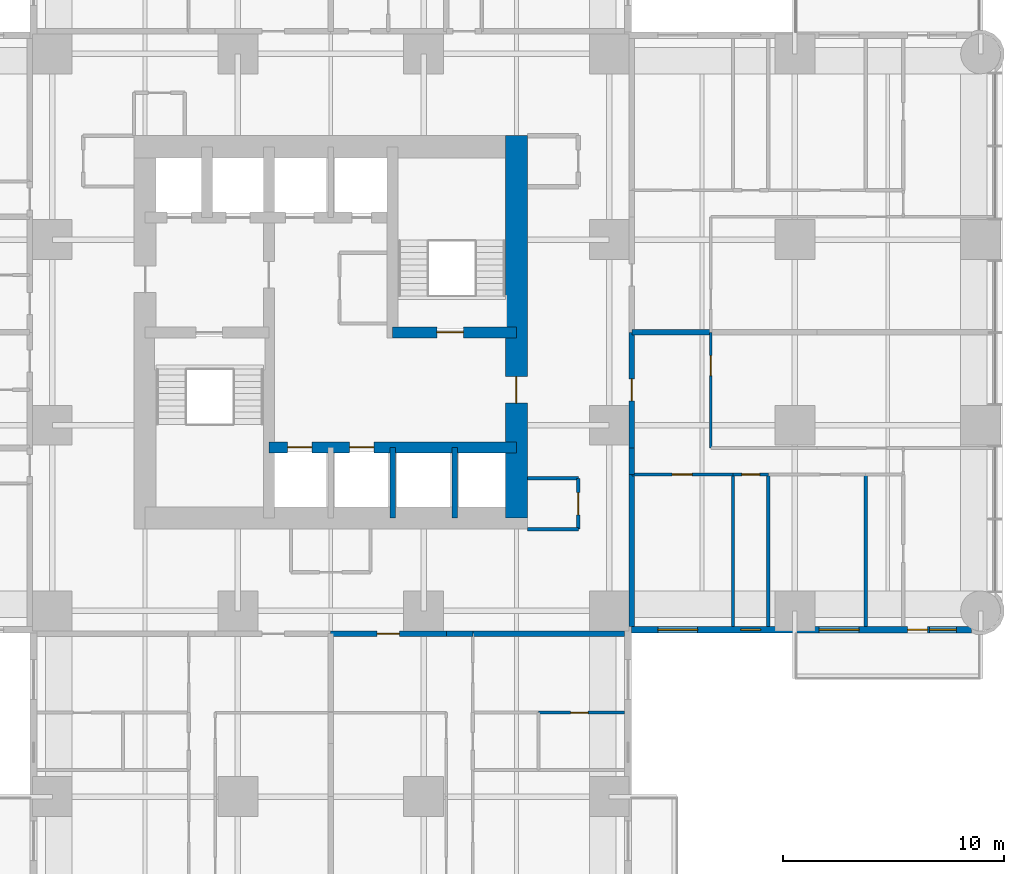
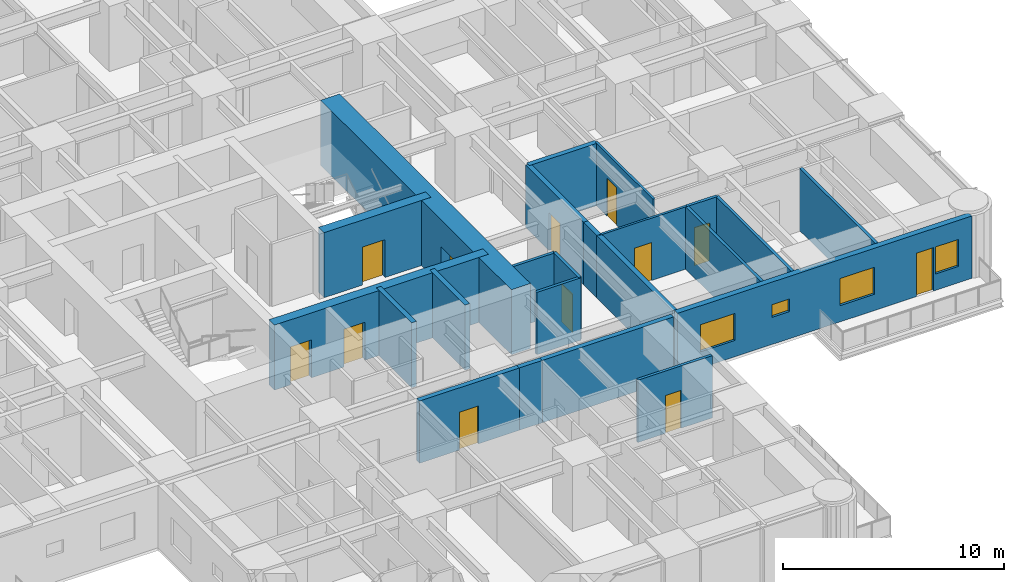
# One storey, part 10 of 17: 23 walls, 12 doors, 4 windows, 16 openings.
"""IFC4 building model written with IfcOpenShell, lengths in metres."""

from ifc_helpers import new_model, si_unit, direction, frame, frame_2d, origin, place, context, subcontext, project, spatial, rectangle, extrude, material, layer, layer_set, type_object, element, fill, save


model = new_model("IFC4")

# Units and contexts
model_context = context("Model", 3, precision=1e-05, world=origin(), true_north=direction((0.0, 1.0)))
body_context = subcontext(model_context, "Body", "Model", "MODEL_VIEW")
ifc_project = project(units=[si_unit("LENGTHUNIT", "METRE"), si_unit("AREAUNIT", "SQUARE_METRE"), si_unit("VOLUMEUNIT", "CUBIC_METRE"), si_unit("PLANEANGLEUNIT", "RADIAN"), si_unit("MASSUNIT", "GRAM", prefix="KILO")], contexts=[model_context])

# Site, building, storey
site_placement = place(None, origin())
site = spatial("IfcSite", under=ifc_project, at=site_placement, CompositionType="ELEMENT")
building_placement = place(site_placement, origin())
building = spatial("IfcBuilding", under=site, at=building_placement, Name="Torre Alcanfor", CompositionType="ELEMENT")
storey_placement = place(building_placement, frame((0.0, 0.0, 70.5)))
storey = spatial("IfcBuildingStorey", under=building, at=storey_placement, Name="L17", CompositionType="ELEMENT", Elevation=70.5)

# Wall, opening, door
ifc_material_1 = material(Name="Concrete block masonry, hollow blocks NMX-C-404 9 MPa", Category="masonry")
ifc_layer_1 = layer(ifc_material_1, 0.25)
ifc_layer_set_1 = layer_set([ifc_layer_1], Name="Apartment entrance wall 250 EI 60")
wall_type_1 = type_object("IfcWallType", Name="Apartment entrance wall 250 EI 60", PredefinedType="PARTITIONING", material=ifc_layer_set_1)
wall_1_placement = place(storey_placement, frame((43.02490234375, 29.39990234375, 0.0), z_axis=(0.0, 0.0, 1.0), x_axis=(0.0, -1.0, 0.0)))
wall_1 = element("IfcWall", 1, at=wall_1_placement, inside=storey, type_object=wall_type_1, Name="Partition L17-CORR / L17-E2-ZAG", PredefinedType="PARTITIONING", context=body_context, shape_type="SweptSolid", body=[
    extrude(rectangle(XDim=5.22900390625, YDim=0.25, at=frame_2d((2.614501953125, 0.0))), origin(), (0.0, 0.0, 1.0), 3.449951171875),
])
opening_1_placement = place(wall_1_placement, frame((2.10009765625, 0.0, 0.0)))
opening_1 = element("IfcOpeningElement", 2, at=opening_1_placement, cuts=wall_1, Name="Opening D-A1", PredefinedType="OPENING", context=body_context, shape_type="SweptSolid", body=[
    extrude(rectangle(XDim=1.0, YDim=2.10009765625, at=frame_2d((0.5, 1.050048828125))), frame((0.0, 0.135009765625, 0.0), z_axis=(0.0, -1.0, 0.0), x_axis=(1.0, 0.0, 0.0)), (0.0, 0.0, 1.0), 0.27001953125),
])
ifc_material_2 = material(Name="Galvanised steel sheet ASTM A653", Category="steel")
door_type_1 = type_object("IfcDoorType", Name="Apartment entrance door FD60 1000x2100", OperationType="SINGLE_SWING_LEFT", PredefinedType="DOOR", material=ifc_material_2)
door_1_placement = place(opening_1_placement, origin())
door_1 = element("IfcDoor", 3, at=door_1_placement, inside=storey, type_object=door_type_1, Name="Apartment entrance L17-E2", OperationType="SINGLE_SWING_LEFT", OverallHeight=2.10009765625, OverallWidth=1.0, PredefinedType="DOOR", context=body_context, shape_type="SweptSolid", body=[
    extrude(rectangle(XDim=1.0, YDim=2.10009765625, at=frame_2d((0.5, 1.050048828125))), frame((0.0, 0.02490234375, 0.0), z_axis=(0.0, -1.0, 0.0), x_axis=(1.0, 0.0, 0.0)), (0.0, 0.0, 1.0), 0.050048828125),
])
fill(opening_1, door_1)

# Walls
wall_2_placement = place(storey_placement, frame((43.02490234375, 24.1708984375, 0.0), z_axis=(0.0, 0.0, 1.0), x_axis=(0.0, -1.0, 0.0)))
element("IfcWall", 4, at=wall_2_placement, inside=storey, type_object=wall_type_1, Name="Partition L17-CORR / L17-E2-HALL", PredefinedType="PARTITIONING", context=body_context, shape_type="SweptSolid", body=[
    extrude(rectangle(XDim=1.199951171875, YDim=0.25, at=frame_2d((0.60009765625, 0.0))), origin(), (0.0, 0.0, 1.0), 3.449951171875),
])
wall_3_placement = place(storey_placement, frame((43.02490234375, 22.970947265625, 0.0), z_axis=(0.0, 0.0, 1.0), x_axis=(0.0, -1.0, 0.0)))
element("IfcWall", 5, at=wall_3_placement, inside=storey, type_object=wall_type_1, Name="Partition L17-CORR / L17-E2-BED3", PredefinedType="PARTITIONING", context=body_context, shape_type="SweptSolid", body=[
    extrude(rectangle(XDim=6.870849609375, YDim=0.25, at=frame_2d((3.435546875, 0.0))), origin(), (0.0, 0.0, 1.0), 3.449951171875),
])

# Wall, opening, door
wall_4_placement = place(storey_placement, frame((34.62890625, 15.77490234375, 0.0), z_axis=(0.0, 0.0, 1.0), x_axis=(-1.0, 0.0, 0.0)))
wall_4 = element("IfcWall", 6, at=wall_4_placement, inside=storey, type_object=wall_type_1, Name="Partition L17-CORR / L17-S1-ZAG", PredefinedType="PARTITIONING", context=body_context, shape_type="SweptSolid", body=[
    extrude(rectangle(XDim=5.22900390625, YDim=0.25, at=frame_2d((2.614501953125, 0.0))), origin(), (0.0, 0.0, 1.0), 3.449951171875),
])
opening_2_placement = place(wall_4_placement, frame((2.12890625, 0.0, 0.0)))
opening_2 = element("IfcOpeningElement", 7, at=opening_2_placement, cuts=wall_4, Name="Opening D-A1", PredefinedType="OPENING", context=body_context, shape_type="SweptSolid", body=[
    extrude(rectangle(XDim=1.0, YDim=2.10009765625, at=frame_2d((0.5, 1.050048828125))), frame((0.0, 0.135009765625, 0.0), z_axis=(0.0, -1.0, 0.0), x_axis=(1.0, 0.0, 0.0)), (0.0, 0.0, 1.0), 0.27001953125),
])
door_2_placement = place(opening_2_placement, origin())
door_2 = element("IfcDoor", 8, at=door_2_placement, inside=storey, type_object=door_type_1, Name="Apartment entrance L17-S1", OperationType="SINGLE_SWING_RIGHT", OverallHeight=2.10009765625, OverallWidth=1.0, PredefinedType="DOOR", context=body_context, shape_type="SweptSolid", body=[
    extrude(rectangle(XDim=1.0, YDim=2.10009765625, at=frame_2d((0.5, 1.050048828125))), frame((0.0, 0.02490234375, 0.0), z_axis=(0.0, -1.0, 0.0), x_axis=(1.0, 0.0, 0.0)), (0.0, 0.0, 1.0), 0.050048828125),
])
fill(opening_2, door_2)

# Walls
wall_5_placement = place(storey_placement, frame((35.8291015625, 15.77490234375, 0.0), z_axis=(0.0, 0.0, 1.0), x_axis=(-1.0, 0.0, 0.0)))
element("IfcWall", 9, at=wall_5_placement, inside=storey, type_object=wall_type_1, Name="Partition L17-CORR / L17-S1-HALL", PredefinedType="PARTITIONING", context=body_context, shape_type="SweptSolid", body=[
    extrude(rectangle(XDim=1.2001953125, YDim=0.25, at=frame_2d((0.60009765625, 0.0))), origin(), (0.0, 0.0, 1.0), 3.449951171875),
])
wall_6_placement = place(storey_placement, frame((42.699951171875, 15.77490234375, 0.0), z_axis=(0.0, 0.0, 1.0), x_axis=(-1.0, 0.0, 0.0)))
element("IfcWall", 10, at=wall_6_placement, inside=storey, type_object=wall_type_1, Name="Partition L17-CORR / L17-S1-SERV", PredefinedType="PARTITIONING", context=body_context, shape_type="SweptSolid", body=[
    extrude(rectangle(XDim=6.870849609375, YDim=0.25, at=frame_2d((3.435546875, 0.0))), origin(), (0.0, 0.0, 1.0), 3.449951171875),
])

# Wall, opening, door
ifc_material_3 = material(Name="Gypsum board on steel studs", Category="steel")
ifc_layer_2 = layer(ifc_material_3, 0.1201171875)
ifc_layer_set_2 = layer_set([ifc_layer_2], Name="Apartment partition 120")
wall_type_2 = type_object("IfcWallType", Name="Apartment partition 120", PredefinedType="PARTITIONING", material=ifc_layer_set_2)
wall_7_placement = place(storey_placement, frame((46.60009765625, 29.39990234375, 0.0), z_axis=(0.0, 0.0, 1.0), x_axis=(0.0, -1.0, 0.0)))
wall_7 = element("IfcWall", 11, at=wall_7_placement, inside=storey, type_object=wall_type_2, Name="Partition L17-E2-ZAG / L17-E2-KITCHEN", PredefinedType="PARTITIONING", context=body_context, shape_type="SweptSolid", body=[
    extrude(rectangle(XDim=5.22900390625, YDim=0.1201171875, at=frame_2d((2.614501953125, 0.0))), origin(), (0.0, 0.0, 1.0), 3.449951171875),
])
opening_3_placement = place(wall_7_placement, frame((1.050048828125, 0.0, 0.0)))
opening_3 = element("IfcOpeningElement", 12, at=opening_3_placement, cuts=wall_7, Name="Opening D-R1", PredefinedType="OPENING", context=body_context, shape_type="SweptSolid", body=[
    extrude(rectangle(XDim=0.89990234375, YDim=2.10009765625, at=frame_2d((0.449951171875, 1.050048828125))), frame((0.0, 0.070068359375, 0.0), z_axis=(0.0, -1.0, 0.0), x_axis=(1.0, 0.0, 0.0)), (0.0, 0.0, 1.0), 0.14013671875),
])
ifc_material_4 = material(Name="Timber", Category="wood")
door_type_2 = type_object("IfcDoorType", Name="Internal door 900x2100", OperationType="SINGLE_SWING_LEFT", PredefinedType="DOOR", material=ifc_material_4)
door_3_placement = place(opening_3_placement, origin())
door_3 = element("IfcDoor", 13, at=door_3_placement, inside=storey, type_object=door_type_2, Name="Door L17-E2 kitchen", OperationType="SINGLE_SWING_LEFT", OverallHeight=2.10009765625, OverallWidth=0.89990234375, PredefinedType="DOOR", context=body_context, shape_type="SweptSolid", body=[
    extrude(rectangle(XDim=0.89990234375, YDim=2.10009765625, at=frame_2d((0.449951171875, 1.050048828125))), frame((0.0, 0.02490234375, 0.0), z_axis=(0.0, -1.0, 0.0), x_axis=(1.0, 0.0, 0.0)), (0.0, 0.0, 1.0), 0.050048828125),
])
fill(opening_3, door_3)

wall_8_placement = place(storey_placement, frame((47.60009765625, 22.970947265625, 0.0), z_axis=(0.0, 0.0, 1.0), x_axis=(-1.0, 0.0, 0.0)))
wall_8 = element("IfcWall", 14, at=wall_8_placement, inside=storey, type_object=wall_type_2, Name="Partition L17-E2-HALL / L17-E2-BED3", PredefinedType="PARTITIONING", context=body_context, shape_type="SweptSolid", body=[
    extrude(rectangle(XDim=4.5751953125, YDim=0.1201171875, at=frame_2d((2.28759765625, 0.0))), origin(), (0.0, 0.0, 1.0), 3.449951171875),
])
opening_4_placement = place(wall_8_placement, frame((1.85009765625, 0.0, 0.0)))
opening_4 = element("IfcOpeningElement", 15, at=opening_4_placement, cuts=wall_8, Name="Opening D-R1", PredefinedType="OPENING", context=body_context, shape_type="SweptSolid", body=[
    extrude(rectangle(XDim=0.89990234375, YDim=2.10009765625, at=frame_2d((0.449951171875, 1.050048828125))), frame((0.0, 0.070068359375, 0.0), z_axis=(0.0, -1.0, 0.0), x_axis=(1.0, 0.0, 0.0)), (0.0, 0.0, 1.0), 0.14013671875),
])
door_4_placement = place(opening_4_placement, origin())
door_4 = element("IfcDoor", 16, at=door_4_placement, inside=storey, type_object=door_type_2, Name="Door L17-E2 bed3", OperationType="SINGLE_SWING_RIGHT", OverallHeight=2.10009765625, OverallWidth=0.89990234375, PredefinedType="DOOR", context=body_context, shape_type="SweptSolid", body=[
    extrude(rectangle(XDim=0.89990234375, YDim=2.10009765625, at=frame_2d((0.449951171875, 1.050048828125))), frame((0.0, 0.02490234375, 0.0), z_axis=(0.0, -1.0, 0.0), x_axis=(1.0, 0.0, 0.0)), (0.0, 0.0, 1.0), 0.050048828125),
])
fill(opening_4, door_4)

# Wall, openings, doors
ifc_material_5 = material(Name="Concrete f'c 70 MPa", Category="concrete")
ifc_layer_3 = layer(ifc_material_5, 0.5)
ifc_layer_set_3 = layer_set([ifc_layer_3], Name="Core inner wall 500 f'c70")
wall_type_3 = type_object("IfcWallType", Name="Core inner wall 500 f'c70", PredefinedType="SHEAR", material=ifc_layer_set_3)
wall_9_placement = place(storey_placement, frame((26.60009765625, 24.199951171875, 0.0), z_axis=(0.0, 0.0, 1.0), x_axis=(1.0, 0.0, 0.0)))
wall_9 = element("IfcWall", 17, at=wall_9_placement, inside=storey, type_object=wall_type_3, Name="Core wall Y242 L17", PredefinedType="SHEAR", context=body_context, shape_type="SweptSolid", body=[
    extrude(rectangle(XDim=11.199951171875, YDim=0.5, at=frame_2d((5.60009765625, 0.0))), origin(), (0.0, 0.0, 1.0), 3.60009765625),
])
opening_5_placement = place(wall_9_placement, frame((0.85009765625, 0.0, 0.0)))
opening_5 = element("IfcOpeningElement", 18, at=opening_5_placement, cuts=wall_9, Name="Opening LD1", PredefinedType="OPENING", context=body_context, shape_type="SweptSolid", body=[
    extrude(rectangle(XDim=1.10009765625, YDim=2.10009765625, at=frame_2d((0.550048828125, 1.050048828125))), frame((0.0, 0.260009765625, 0.0), z_axis=(0.0, -1.0, 0.0), x_axis=(1.0, 0.0, 0.0)), (0.0, 0.0, 1.0), 0.52001953125),
])
opening_6_placement = place(wall_9_placement, frame((3.64990234375, 0.0, 0.0)))
opening_6 = element("IfcOpeningElement", 19, at=opening_6_placement, cuts=wall_9, Name="Opening LD1", PredefinedType="OPENING", context=body_context, shape_type="SweptSolid", body=[
    extrude(rectangle(XDim=1.10009765625, YDim=2.10009765625, at=frame_2d((0.550048828125, 1.050048828125))), frame((0.0, 0.260009765625, 0.0), z_axis=(0.0, -1.0, 0.0), x_axis=(1.0, 0.0, 0.0)), (0.0, 0.0, 1.0), 0.52001953125),
])
ifc_material_6 = material(Name="Galvanised steel sheet ASTM A653", Category="steel")
door_type_3 = type_object("IfcDoorType", Name="Lift landing door 1100x2100", OperationType="DOUBLE_DOOR_SLIDING", PredefinedType="DOOR", material=ifc_material_6)
door_5_placement = place(opening_5_placement, origin())
door_5 = element("IfcDoor", 20, at=door_5_placement, inside=storey, type_object=door_type_3, Name="Lift landing door PA1 L17", OperationType="DOUBLE_DOOR_SLIDING", OverallHeight=2.10009765625, OverallWidth=1.10009765625, PredefinedType="DOOR", context=body_context, shape_type="SweptSolid", body=[
    extrude(rectangle(XDim=1.10009765625, YDim=2.10009765625, at=frame_2d((0.550048828125, 1.050048828125))), frame((0.0, 0.02490234375, 0.0), z_axis=(0.0, -1.0, 0.0), x_axis=(1.0, 0.0, 0.0)), (0.0, 0.0, 1.0), 0.050048828125),
])
fill(opening_5, door_5)
door_6_placement = place(opening_6_placement, origin())
door_6 = element("IfcDoor", 21, at=door_6_placement, inside=storey, type_object=door_type_3, Name="Lift landing door PA2 L17", OperationType="DOUBLE_DOOR_SLIDING", OverallHeight=2.10009765625, OverallWidth=1.10009765625, PredefinedType="DOOR", context=body_context, shape_type="SweptSolid", body=[
    extrude(rectangle(XDim=1.10009765625, YDim=2.10009765625, at=frame_2d((0.550048828125, 1.050048828125))), frame((0.0, 0.02490234375, 0.0), z_axis=(0.0, -1.0, 0.0), x_axis=(1.0, 0.0, 0.0)), (0.0, 0.0, 1.0), 0.050048828125),
])
fill(opening_6, door_6)

# Wall, opening, door
wall_10_placement = place(storey_placement, frame((32.199951171875, 29.39990234375, 0.0), z_axis=(0.0, 0.0, 1.0), x_axis=(1.0, 0.0, 0.0)))
wall_10 = element("IfcWall", 22, at=wall_10_placement, inside=storey, type_object=wall_type_3, Name="Core wall Y294E L17", PredefinedType="SHEAR", context=body_context, shape_type="SweptSolid", body=[
    extrude(rectangle(XDim=5.60009765625, YDim=0.5, at=frame_2d((2.800048828125, 0.0))), origin(), (0.0, 0.0, 1.0), 3.60009765625),
])
opening_7_placement = place(wall_10_placement, frame((2.0, 0.0, 0.0)))
opening_7 = element("IfcOpeningElement", 23, at=opening_7_placement, cuts=wall_10, Name="Opening D-S2", PredefinedType="OPENING", context=body_context, shape_type="SweptSolid", body=[
    extrude(rectangle(XDim=1.199951171875, YDim=2.10009765625, at=frame_2d((0.60009765625, 1.050048828125))), frame((0.0, 0.260009765625, 0.0), z_axis=(0.0, -1.0, 0.0), x_axis=(1.0, 0.0, 0.0)), (0.0, 0.0, 1.0), 0.52001953125),
])
ifc_material_7 = material(Name="Galvanised steel sheet ASTM A653", Category="steel")
door_type_4 = type_object("IfcDoorType", Name="Stair enclosure door FD120 1200x2100", OperationType="SINGLE_SWING_LEFT", PredefinedType="DOOR", material=ifc_material_7)
door_7_placement = place(opening_7_placement, origin())
door_7 = element("IfcDoor", 24, at=door_7_placement, inside=storey, type_object=door_type_4, Name="Stair S2 door L17", OperationType="SINGLE_SWING_LEFT", OverallHeight=2.10009765625, OverallWidth=1.199951171875, PredefinedType="DOOR", context=body_context, shape_type="SweptSolid", body=[
    extrude(rectangle(XDim=1.199951171875, YDim=2.10009765625, at=frame_2d((0.60009765625, 1.050048828125))), frame((0.0, 0.02490234375, 0.0), z_axis=(0.0, -1.0, 0.0), x_axis=(1.0, 0.0, 0.0)), (0.0, 0.0, 1.0), 0.050048828125),
])
fill(opening_7, door_7)

# Walls
ifc_material_8 = material(Name="Concrete f'c 70 MPa", Category="concrete")
ifc_layer_4 = layer(ifc_material_8, 0.25)
ifc_layer_set_4 = layer_set([ifc_layer_4], Name="Core shaft wall 250 f'c70")
wall_type_4 = type_object("IfcWallType", Name="Core shaft wall 250 f'c70", PredefinedType="SHEAR", material=ifc_layer_set_4)
for number, where, z_axis, x_axis, name in (
    (25, (32.199951171875, 21.0, 0.0), (0.0, 0.0, 1.0), (0.0, 1.0, 0.0), "Core wall X322S L17"),
    (26, (35.0, 21.0, 0.0), (0.0, 0.0, 1.0), (0.0, 1.0, 0.0), "Core wall X350S L17"),
):
    element("IfcWall", number, at=place(storey_placement, frame(where, z_axis=z_axis, x_axis=x_axis)), inside=storey, type_object=wall_type_4, Name=name, PredefinedType="SHEAR", context=body_context, shape_type="SweptSolid", body=[
        extrude(rectangle(XDim=3.199951171875, YDim=0.25, at=frame_2d((1.60009765625, 0.0))), origin(), (0.0, 0.0, 1.0), 3.60009765625),
    ])

# Wall, opening, door
ifc_material_9 = material(Name="Concrete f'c 70 MPa", Category="concrete")
ifc_layer_5 = layer(ifc_material_9, 1.0)
ifc_layer_set_5 = layer_set([ifc_layer_5], Name="Core wall 1000 f'c70")
wall_type_5 = type_object("IfcWallType", Name="Core wall 1000 f'c70", PredefinedType="SHEAR", material=ifc_layer_set_5)
wall_11_placement = place(storey_placement, frame((37.800048828125, 21.0, 0.0), z_axis=(0.0, 0.0, 1.0), x_axis=(0.0, 1.0, 0.0)))
wall_11 = element("IfcWall", 27, at=wall_11_placement, inside=storey, type_object=wall_type_5, Name="Core wall OUT-E L17", PredefinedType="SHEAR", context=body_context, shape_type="SweptSolid", body=[
    extrude(rectangle(XDim=17.300048828125, YDim=1.0, at=frame_2d((8.64990234375, 0.0))), origin(), (0.0, 0.0, 1.0), 3.60009765625),
])
opening_8_placement = place(wall_11_placement, frame((5.199951171875, 0.0, 0.0)))
opening_8 = element("IfcOpeningElement", 28, at=opening_8_placement, cuts=wall_11, Name="Opening D-L1", PredefinedType="OPENING", context=body_context, shape_type="SweptSolid", body=[
    extrude(rectangle(XDim=1.199951171875, YDim=2.10009765625, at=frame_2d((0.60009765625, 1.050048828125))), frame((0.0, 0.510009765625, 0.0), z_axis=(0.0, -1.0, 0.0), x_axis=(1.0, 0.0, 0.0)), (0.0, 0.0, 1.0), 1.02001953125),
])
ifc_material_10 = material(Name="Galvanised steel sheet ASTM A653", Category="steel")
door_type_5 = type_object("IfcDoorType", Name="Lobby door FD120 1200x2100", OperationType="SINGLE_SWING_LEFT", PredefinedType="DOOR", material=ifc_material_10)
door_8_placement = place(opening_8_placement, origin())
door_8 = element("IfcDoor", 29, at=door_8_placement, inside=storey, type_object=door_type_5, Name="Lift lobby entrance door L17", OperationType="SINGLE_SWING_LEFT", OverallHeight=2.10009765625, OverallWidth=1.199951171875, PredefinedType="DOOR", context=body_context, shape_type="SweptSolid", body=[
    extrude(rectangle(XDim=1.199951171875, YDim=2.10009765625, at=frame_2d((0.60009765625, 1.050048828125))), frame((0.0, 0.02490234375, 0.0), z_axis=(0.0, -1.0, 0.0), x_axis=(1.0, 0.0, 0.0)), (0.0, 0.0, 1.0), 0.050048828125),
])
fill(opening_8, door_8)

# Wall, openings, door, windows
ifc_material_11 = material(Name="Limestone cladding", Category="masonry")
ifc_layer_6 = layer(ifc_material_11, 0.0400390625, Name="Facing")
ifc_material_12 = material(Name="Ventilated air cavity")
ifc_layer_7 = layer(ifc_material_12, 0.02001953125, ventilated=True, Name="Ventilated joint")
ifc_material_13 = material(Name="Mineral wool insulation", Category="insulation")
ifc_layer_8 = layer(ifc_material_13, 0.10009765625, Name="Insulation")
ifc_material_14 = material(Name="Concrete f'c 35 MPa", Category="concrete")
ifc_layer_9 = layer(ifc_material_14, 0.139892578125, Name="Backing")
ifc_layer_set_6 = layer_set([ifc_layer_6, ifc_layer_7, ifc_layer_8, ifc_layer_9], Name="External wall stone-clad 300")
wall_type_6 = type_object("IfcWallType", Name="External wall stone-clad 300", PredefinedType="SOLIDWALL", material=ifc_layer_set_6)
wall_12_placement = place(storey_placement, frame((43.0, 15.949951171875, 0.0), z_axis=(0.0, 0.0, 1.0), x_axis=(1.0, 0.0, 0.0)))
wall_12 = element("IfcWall", 30, at=wall_12_placement, inside=storey, type_object=wall_type_6, Name="External wall L17 7", PredefinedType="SOLIDWALL", context=body_context, shape_type="SweptSolid", body=[
    extrude(rectangle(XDim=15.39990234375, YDim=0.300048828125, at=frame_2d((7.699951171875, 0.0))), origin(), (0.0, 0.0, 1.0), 3.449951171875),
])
opening_9_placement = place(wall_12_placement, frame((1.199951171875, 0.0, 0.89990234375)))
opening_9 = element("IfcOpeningElement", 31, at=opening_9_placement, cuts=wall_12, Name="Opening W2", PredefinedType="OPENING", context=body_context, shape_type="SweptSolid", body=[
    extrude(rectangle(XDim=1.800048828125, YDim=1.5, at=frame_2d((0.89990234375, 0.75))), frame((0.0, 0.159912109375, 0.0), z_axis=(0.0, -1.0, 0.0), x_axis=(1.0, 0.0, 0.0)), (0.0, 0.0, 1.0), 0.320068359375),
])
opening_10_placement = place(wall_12_placement, frame((4.949951171875, 0.0, 1.5)))
opening_10 = element("IfcOpeningElement", 32, at=opening_10_placement, cuts=wall_12, Name="Opening W3", PredefinedType="OPENING", context=body_context, shape_type="SweptSolid", body=[
    extrude(rectangle(XDim=0.89990234375, YDim=0.699951171875, at=frame_2d((0.449951171875, 0.35009765625))), frame((0.0, 0.159912109375, 0.0), z_axis=(0.0, -1.0, 0.0), x_axis=(1.0, 0.0, 0.0)), (0.0, 0.0, 1.0), 0.320068359375),
])
opening_11_placement = place(wall_12_placement, frame((8.5, 0.0, 0.89990234375)))
opening_11 = element("IfcOpeningElement", 33, at=opening_11_placement, cuts=wall_12, Name="Opening W2", PredefinedType="OPENING", context=body_context, shape_type="SweptSolid", body=[
    extrude(rectangle(XDim=1.800048828125, YDim=1.5, at=frame_2d((0.89990234375, 0.75))), frame((0.0, 0.159912109375, 0.0), z_axis=(0.0, -1.0, 0.0), x_axis=(1.0, 0.0, 0.0)), (0.0, 0.0, 1.0), 0.320068359375),
])
opening_12_placement = place(wall_12_placement, frame((12.5, 0.0, 0.0)))
opening_12 = element("IfcOpeningElement", 34, at=opening_12_placement, cuts=wall_12, Name="Opening D-B1", PredefinedType="OPENING", context=body_context, shape_type="SweptSolid", body=[
    extrude(rectangle(XDim=0.89990234375, YDim=2.39990234375, at=frame_2d((0.449951171875, 1.199951171875))), frame((0.0, 0.159912109375, 0.0), z_axis=(0.0, -1.0, 0.0), x_axis=(1.0, 0.0, 0.0)), (0.0, 0.0, 1.0), 0.320068359375),
])
opening_13_placement = place(wall_12_placement, frame((13.5, 0.0, 0.89990234375)))
opening_13 = element("IfcOpeningElement", 35, at=opening_13_placement, cuts=wall_12, Name="Opening W4", PredefinedType="OPENING", context=body_context, shape_type="SweptSolid", body=[
    extrude(rectangle(XDim=1.199951171875, YDim=1.5, at=frame_2d((0.60009765625, 0.75))), frame((0.0, 0.159912109375, 0.0), z_axis=(0.0, -1.0, 0.0), x_axis=(1.0, 0.0, 0.0)), (0.0, 0.0, 1.0), 0.320068359375),
])
ifc_material_15 = material(Name="Aluminium and glass", Category="aluminium")
door_type_6 = type_object("IfcDoorType", Name="Balcony door glazed 900x2400", OperationType="SINGLE_SWING_LEFT", PredefinedType="DOOR", material=ifc_material_15)
door_9_placement = place(opening_12_placement, origin())
door_9 = element("IfcDoor", 36, at=door_9_placement, inside=storey, type_object=door_type_6, Name="Balcony door L17-E2", OperationType="SINGLE_SWING_LEFT", OverallHeight=2.39990234375, OverallWidth=0.89990234375, PredefinedType="DOOR", context=body_context, shape_type="SweptSolid", body=[
    extrude(rectangle(XDim=0.89990234375, YDim=2.39990234375, at=frame_2d((0.449951171875, 1.199951171875))), frame((0.0, 0.02490234375, 0.0), z_axis=(0.0, -1.0, 0.0), x_axis=(1.0, 0.0, 0.0)), (0.0, 0.0, 1.0), 0.050048828125),
])
fill(opening_12, door_9)
ifc_material_16 = material(Name="Aluminium frame with clear double glazing", Category="aluminium")
window_type_1 = type_object("IfcWindowType", Name="Window bathroom 900x700", PartitioningType="SINGLE_PANEL", PredefinedType="WINDOW", material=ifc_material_16)
window_1_placement = place(opening_10_placement, origin())
window_1 = element("IfcWindow", 37, at=window_1_placement, inside=storey, type_object=window_type_1, Name="Window W3 L17-E2", OverallHeight=0.699951171875, OverallWidth=0.89990234375, PartitioningType="SINGLE_PANEL", PredefinedType="WINDOW", context=body_context, shape_type="SweptSolid", body=[
    extrude(rectangle(XDim=0.89990234375, YDim=0.699951171875, at=frame_2d((0.449951171875, 0.35009765625))), frame((0.0, 0.030029296875, 0.0), z_axis=(0.0, -1.0, 0.0), x_axis=(1.0, 0.0, 0.0)), (0.0, 0.0, 1.0), 0.06005859375),
])
fill(opening_10, window_1)
ifc_material_17 = material(Name="Aluminium frame with clear double glazing", Category="aluminium")
window_type_2 = type_object("IfcWindowType", Name="Window bedroom 1200x1500", PartitioningType="SINGLE_PANEL", PredefinedType="WINDOW", material=ifc_material_17)
window_2_placement = place(opening_13_placement, origin())
window_2 = element("IfcWindow", 38, at=window_2_placement, inside=storey, type_object=window_type_2, Name="Window W4 L17-E2", OverallHeight=1.5, OverallWidth=1.199951171875, PartitioningType="SINGLE_PANEL", PredefinedType="WINDOW", context=body_context, shape_type="SweptSolid", body=[
    extrude(rectangle(XDim=1.199951171875, YDim=1.5, at=frame_2d((0.60009765625, 0.75))), frame((0.0, 0.030029296875, 0.0), z_axis=(0.0, -1.0, 0.0), x_axis=(1.0, 0.0, 0.0)), (0.0, 0.0, 1.0), 0.06005859375),
])
fill(opening_13, window_2)
ifc_material_18 = material(Name="Aluminium frame with clear double glazing", Category="aluminium")
window_type_3 = type_object("IfcWindowType", Name="Window bedroom 1800x1500", PartitioningType="SINGLE_PANEL", PredefinedType="WINDOW", material=ifc_material_18)
window_3_placement = place(opening_9_placement, origin())
window_3 = element("IfcWindow", 39, at=window_3_placement, inside=storey, type_object=window_type_3, Name="Window W2 L17-E2", OverallHeight=1.5, OverallWidth=1.800048828125, PartitioningType="SINGLE_PANEL", PredefinedType="WINDOW", context=body_context, shape_type="SweptSolid", body=[
    extrude(rectangle(XDim=1.800048828125, YDim=1.5, at=frame_2d((0.89990234375, 0.75))), frame((0.0, 0.030029296875, 0.0), z_axis=(0.0, -1.0, 0.0), x_axis=(1.0, 0.0, 0.0)), (0.0, 0.0, 1.0), 0.06005859375),
])
fill(opening_9, window_3)
window_4_placement = place(opening_11_placement, origin())
window_4 = element("IfcWindow", 40, at=window_4_placement, inside=storey, type_object=window_type_3, Name="Window W2 L17-E2", OverallHeight=1.5, OverallWidth=1.800048828125, PartitioningType="SINGLE_PANEL", PredefinedType="WINDOW", context=body_context, shape_type="SweptSolid", body=[
    extrude(rectangle(XDim=1.800048828125, YDim=1.5, at=frame_2d((0.89990234375, 0.75))), frame((0.0, 0.030029296875, 0.0), z_axis=(0.0, -1.0, 0.0), x_axis=(1.0, 0.0, 0.0)), (0.0, 0.0, 1.0), 0.06005859375),
])
fill(opening_11, window_4)

# Walls
ifc_material_19 = material(Name="Concrete block masonry, hollow blocks NMX-C-404 9 MPa", Category="masonry")
ifc_layer_10 = layer(ifc_material_19, 0.25)
ifc_layer_set_7 = layer_set([ifc_layer_10], Name="Party wall 250 EI 60")
wall_type_7 = type_object("IfcWallType", Name="Party wall 250 EI 60", PredefinedType="PARTITIONING", material=ifc_layer_set_7)
wall_13_placement = place(storey_placement, frame((43.02490234375, 29.39990234375, 0.0), z_axis=(0.0, 0.0, 1.0), x_axis=(1.0, 0.0, 0.0)))
element("IfcWall", 41, at=wall_13_placement, inside=storey, type_object=wall_type_7, Name="Partition L17-E1-ZAG / L17-E2-ZAG", PredefinedType="PARTITIONING", context=body_context, shape_type="SweptSolid", body=[
    extrude(rectangle(XDim=3.5751953125, YDim=0.25, at=frame_2d((1.78759765625, 0.0))), origin(), (0.0, 0.0, 1.0), 3.449951171875),
])
ifc_material_20 = material(Name="Concrete block masonry, hollow blocks NMX-C-404 9 MPa", Category="masonry")
ifc_layer_11 = layer(ifc_material_20, 0.14990234375)
ifc_layer_set_8 = layer_set([ifc_layer_11], Name="Residents' room partition 150")
wall_type_8 = type_object("IfcWallType", Name="Residents' room partition 150", PredefinedType="PARTITIONING", material=ifc_layer_set_8)
wall_14_placement = place(storey_placement, frame((38.300048828125, 20.5, 0.0), z_axis=(0.0, 0.0, 1.0), x_axis=(1.0, 0.0, 0.0)))
element("IfcWall", 42, at=wall_14_placement, inside=storey, type_object=wall_type_8, Name="Partition L17-CORR / L17-G02", PredefinedType="PARTITIONING", context=body_context, shape_type="SweptSolid", body=[
    extrude(rectangle(XDim=2.300048828125, YDim=0.14990234375, at=frame_2d((1.14990234375, 0.0))), origin(), (0.0, 0.0, 1.0), 3.449951171875),
])

# Wall, opening, door
wall_15_placement = place(storey_placement, frame((40.60009765625, 20.5, 0.0), z_axis=(0.0, 0.0, 1.0), x_axis=(0.0, 1.0, 0.0)))
wall_15 = element("IfcWall", 43, at=wall_15_placement, inside=storey, type_object=wall_type_8, Name="Partition L17-CORR / L17-G02", PredefinedType="PARTITIONING", context=body_context, shape_type="SweptSolid", body=[
    extrude(rectangle(XDim=2.300048828125, YDim=0.14990234375, at=frame_2d((1.14990234375, 0.0))), origin(), (0.0, 0.0, 1.0), 3.449951171875),
])
opening_14_placement = place(wall_15_placement, frame((0.64990234375, 0.0, 0.0)))
opening_14 = element("IfcOpeningElement", 44, at=opening_14_placement, cuts=wall_15, Name="Opening D-M1", PredefinedType="OPENING", context=body_context, shape_type="SweptSolid", body=[
    extrude(rectangle(XDim=1.0, YDim=2.10009765625, at=frame_2d((0.5, 1.050048828125))), frame((0.0, 0.0849609375, 0.0), z_axis=(0.0, -1.0, 0.0), x_axis=(1.0, 0.0, 0.0)), (0.0, 0.0, 1.0), 0.169921875),
])
ifc_material_21 = material(Name="Timber", Category="wood")
door_type_7 = type_object("IfcDoorType", Name="Residents' room door 1000x2100", OperationType="SINGLE_SWING_LEFT", PredefinedType="DOOR", material=ifc_material_21)
door_10_placement = place(opening_14_placement, origin())
door_10 = element("IfcDoor", 45, at=door_10_placement, inside=storey, type_object=door_type_7, Name="Door L17-G02 bicycle store", OperationType="SINGLE_SWING_LEFT", OverallHeight=2.10009765625, OverallWidth=1.0, PredefinedType="DOOR", context=body_context, shape_type="SweptSolid", body=[
    extrude(rectangle(XDim=1.0, YDim=2.10009765625, at=frame_2d((0.5, 1.050048828125))), frame((0.0, 0.02490234375, 0.0), z_axis=(0.0, -1.0, 0.0), x_axis=(1.0, 0.0, 0.0)), (0.0, 0.0, 1.0), 0.050048828125),
])
fill(opening_14, door_10)

# Wall
wall_16_placement = place(storey_placement, frame((40.60009765625, 22.800048828125, 0.0), z_axis=(0.0, 0.0, 1.0), x_axis=(-1.0, 0.0, 0.0)))
element("IfcWall", 46, at=wall_16_placement, inside=storey, type_object=wall_type_8, Name="Partition L17-CORR / L17-G02", PredefinedType="PARTITIONING", context=body_context, shape_type="SweptSolid", body=[
    extrude(rectangle(XDim=2.300048828125, YDim=0.14990234375, at=frame_2d((1.14990234375, 0.0))), origin(), (0.0, 0.0, 1.0), 3.449951171875),
])

# Wall, opening, door
ifc_material_22 = material(Name="Cement board on steel studs", Category="steel")
ifc_layer_12 = layer(ifc_material_22, 0.14990234375)
ifc_layer_set_9 = layer_set([ifc_layer_12], Name="Wet area partition 150")
wall_type_9 = type_object("IfcWallType", Name="Wet area partition 150", PredefinedType="PARTITIONING", material=ifc_layer_set_9)
wall_17_placement = place(storey_placement, frame((49.199951171875, 22.970947265625, 0.0), z_axis=(0.0, 0.0, 1.0), x_axis=(-1.0, 0.0, 0.0)))
wall_17 = element("IfcWall", 47, at=wall_17_placement, inside=storey, type_object=wall_type_9, Name="Partition L17-E2-HALL / L17-E2-BATH1", PredefinedType="PARTITIONING", context=body_context, shape_type="SweptSolid", body=[
    extrude(rectangle(XDim=1.599853515625, YDim=0.14990234375, at=frame_2d((0.7998046875, 0.0))), origin(), (0.0, 0.0, 1.0), 3.449951171875),
])
opening_15_placement = place(wall_17_placement, frame((0.39990234375, 0.0, 0.0)))
opening_15 = element("IfcOpeningElement", 48, at=opening_15_placement, cuts=wall_17, Name="Opening D-R2", PredefinedType="OPENING", context=body_context, shape_type="SweptSolid", body=[
    extrude(rectangle(XDim=0.800048828125, YDim=2.10009765625, at=frame_2d((0.39990234375, 1.050048828125))), frame((0.0, 0.0849609375, 0.0), z_axis=(0.0, -1.0, 0.0), x_axis=(1.0, 0.0, 0.0)), (0.0, 0.0, 1.0), 0.169921875),
])
ifc_material_23 = material(Name="Timber", Category="wood")
door_type_8 = type_object("IfcDoorType", Name="Bathroom door 800x2100", OperationType="SINGLE_SWING_LEFT", PredefinedType="DOOR", material=ifc_material_23)
door_11_placement = place(opening_15_placement, origin())
door_11 = element("IfcDoor", 49, at=door_11_placement, inside=storey, type_object=door_type_8, Name="Door L17-E2 bath1", OperationType="SINGLE_SWING_LEFT", OverallHeight=2.10009765625, OverallWidth=0.800048828125, PredefinedType="DOOR", context=body_context, shape_type="SweptSolid", body=[
    extrude(rectangle(XDim=0.800048828125, YDim=2.10009765625, at=frame_2d((0.39990234375, 1.050048828125))), frame((0.0, 0.02490234375, 0.0), z_axis=(0.0, -1.0, 0.0), x_axis=(1.0, 0.0, 0.0)), (0.0, 0.0, 1.0), 0.050048828125),
])
fill(opening_15, door_11)

# Walls
for number, where, z_axis, x_axis, name in (
    (50, (47.60009765625, 22.970947265625, 0.0), (0.0, 0.0, 1.0), (0.0, -1.0, 0.0), "Partition L17-E2-BED3 / L17-E2-BATH1"),
    (51, (49.199951171875, 22.970947265625, 0.0), (0.0, 0.0, 1.0), (0.0, -1.0, 0.0), "Partition L17-E2-BATH1 / L17-E2-BED2"),
    (52, (53.60009765625, 22.970947265625, 0.0), (0.0, 0.0, 1.0), (0.0, -1.0, 0.0), "Partition L17-E2-BED2 / L17-E2-ENSBATH"),
):
    element("IfcWall", number, at=place(storey_placement, frame(where, z_axis=z_axis, x_axis=x_axis)), inside=storey, type_object=wall_type_9, Name=name, PredefinedType="PARTITIONING", context=body_context, shape_type="SweptSolid", body=[
        extrude(rectangle(XDim=6.870849609375, YDim=0.14990234375, at=frame_2d((3.435546875, 0.0))), origin(), (0.0, 0.0, 1.0), 3.449951171875),
    ])

# Wall, opening, door
wall_18_placement = place(storey_placement, frame((38.800048828125, 12.199951171875, 0.0), z_axis=(0.0, 0.0, 1.0), x_axis=(1.0, 0.0, 0.0)))
wall_18 = element("IfcWall", 53, at=wall_18_placement, inside=storey, type_object=wall_type_9, Name="Partition L17-S1-SERV / L17-S1-SBATH", PredefinedType="PARTITIONING", context=body_context, shape_type="SweptSolid", body=[
    extrude(rectangle(XDim=3.89990234375, YDim=0.14990234375, at=frame_2d((1.949951171875, 0.0))), origin(), (0.0, 0.0, 1.0), 3.449951171875),
])
opening_16_placement = place(wall_18_placement, frame((1.449951171875, 0.0, 0.0)))
opening_16 = element("IfcOpeningElement", 54, at=opening_16_placement, cuts=wall_18, Name="Opening D-R2", PredefinedType="OPENING", context=body_context, shape_type="SweptSolid", body=[
    extrude(rectangle(XDim=0.800048828125, YDim=2.10009765625, at=frame_2d((0.39990234375, 1.050048828125))), frame((0.0, 0.0849609375, 0.0), z_axis=(0.0, -1.0, 0.0), x_axis=(1.0, 0.0, 0.0)), (0.0, 0.0, 1.0), 0.169921875),
])
door_12_placement = place(opening_16_placement, frame((0.800048828125, 0.0, 0.0), z_axis=(0.0, 0.0, 1.0), x_axis=(-1.0, 0.0, 0.0)))
door_12 = element("IfcDoor", 55, at=door_12_placement, inside=storey, type_object=door_type_8, Name="Door L17-S1 sbath", OperationType="SINGLE_SWING_RIGHT", OverallHeight=2.10009765625, OverallWidth=0.800048828125, PredefinedType="DOOR", context=body_context, shape_type="SweptSolid", body=[
    extrude(rectangle(XDim=0.800048828125, YDim=2.10009765625, at=frame_2d((0.400146484375, 1.050048828125))), frame((0.0, 0.025146484375, 0.0), z_axis=(0.0, -1.0, 0.0), x_axis=(1.0, 0.0, 0.0)), (0.0, 0.0, 1.0), 0.050048828125),
])
fill(opening_16, door_12)

save(model, "model.ifc")
